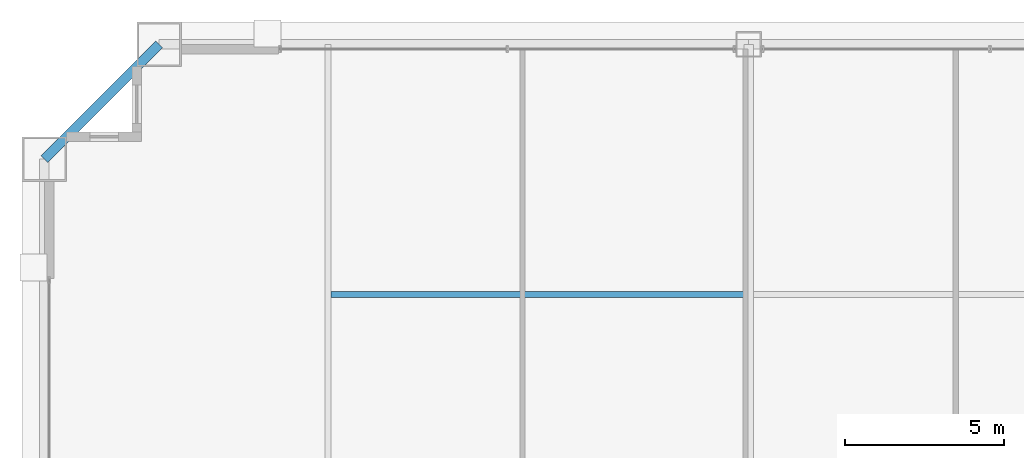
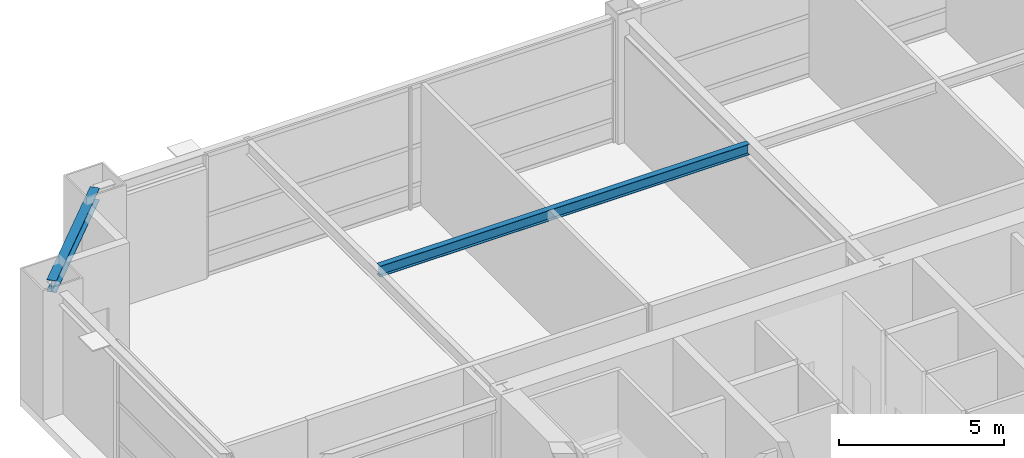
# One storey, part 22 of 34: 2 beams.
"""IFC4 building model written with IfcOpenShell, lengths in metres."""

from ifc_helpers import new_model, si_unit, direction, frame, origin, origin_2d, place, context, subcontext, project, spatial, i_section, extrude, source, transform, mapped, material, material_profile, profile_set, type_object, element, save


model = new_model("IFC4")

# Units and contexts
model_context = context("Model", 3, precision=1e-05, world=origin(), true_north=direction((0.0, 1.0)))
body_context = subcontext(model_context, "Body", "Model", "MODEL_VIEW")
ifc_project = project(units=[si_unit("LENGTHUNIT", "METRE"), si_unit("AREAUNIT", "SQUARE_METRE"), si_unit("VOLUMEUNIT", "CUBIC_METRE"), si_unit("PLANEANGLEUNIT", "RADIAN"), si_unit("MASSUNIT", "GRAM", prefix="KILO"), si_unit("THERMODYNAMICTEMPERATUREUNIT", "KELVIN"), si_unit("POWERUNIT", "WATT")], contexts=[model_context])

# Site, building, storey
site_placement = place(None, origin())
site = spatial("IfcSite", under=ifc_project, at=site_placement, CompositionType="ELEMENT")
building_placement = place(site_placement, origin())
building = spatial("IfcBuilding", under=site, at=building_placement, Name="Yuzanri Waterfront Tower", CompositionType="ELEMENT")
storey_placement = place(building_placement, frame((0.0, 0.0, 171.60009765625)))
storey = spatial("IfcBuildingStorey", under=building, at=storey_placement, Name="L45", CompositionType="ELEMENT", Elevation=171.60009765625)

# Beams
ifc_material_1 = material(Name="Steel Q355B", Category="steel")
ifc_material_profile_1 = material_profile(ifc_material_1, i_section(OverallWidth=0.199951171875, OverallDepth=0.39990234375, WebThickness=0.008056640625, FlangeThickness=0.012939453125, at=origin_2d()), Name="HN 400x200x8x13")
ifc_profile_set_1 = profile_set([ifc_material_profile_1], Name="Steel Q355B")
beam_type_1 = type_object("IfcBeamType", Name="Floor Joist Q355B HN 400x200", PredefinedType="JOIST", material=ifc_profile_set_1)
shared_shape_1 = source(origin(), body_context, "Body", "SweptSolid", [
    extrude(i_section(OverallWidth=0.199951171875, OverallDepth=0.39990234375, WebThickness=0.008056640625, FlangeThickness=0.012939453125, at=origin_2d()), origin(), (0.0, 0.0, 1.0), 12.9501953125),
])
beam_1_placement = place(storey_placement, frame((23.89990234375, 40.050048828125, 4.31982421875), z_axis=(1.0, 0.0, 0.0), x_axis=(0.0, 1.0, 0.0)))
element("IfcBeam", 1, at=beam_1_placement, inside=storey, type_object=beam_type_1, Name="L45 North Bay Joist W", PredefinedType="JOIST", context=body_context, shape_type="MappedRepresentation", body=[
    mapped(shared_shape_1, transform((0.0, 0.0, 0.0), scale=1.0)),
])
ifc_material_2 = material(Name="Steel Q355B", Category="steel")
ifc_material_profile_2 = material_profile(ifc_material_2, i_section(OverallWidth=0.300048828125, OverallDepth=0.43994140625, WebThickness=0.010986328125, FlangeThickness=0.01806640625, at=origin_2d()), Name="HM 440x300x11x18")
ifc_profile_set_2 = profile_set([ifc_material_profile_2], Name="Steel Q355B")
beam_type_2 = type_object("IfcBeamType", Name="Perimeter Spandrel Q355B HM 440x300", PredefinedType="SPANDREL", material=ifc_profile_set_2)
shared_shape_2 = source(origin(), body_context, "Body", "SweptSolid", [
    extrude(i_section(OverallWidth=0.300048828125, OverallDepth=0.43994140625, WebThickness=0.010986328125, FlangeThickness=0.01806640625, at=origin_2d()), origin(), (0.0, 0.0, 1.0), 5.091064453125),
])
beam_2_placement = place(storey_placement, frame((18.5, 47.89990234375, 4.2998046875), z_axis=(-0.707130757816, -0.707082803744, 0.0), x_axis=(0.707082803744, -0.707130757816, 0.0)))
element("IfcBeam", 2, at=beam_2_placement, inside=storey, type_object=beam_type_2, Name="L45 Perimeter Spandrel N1-W3", PredefinedType="SPANDREL", context=body_context, shape_type="MappedRepresentation", body=[
    mapped(shared_shape_2, transform((0.0, 0.0, 0.0), scale=1.0)),
])

save(model, "model.ifc")
